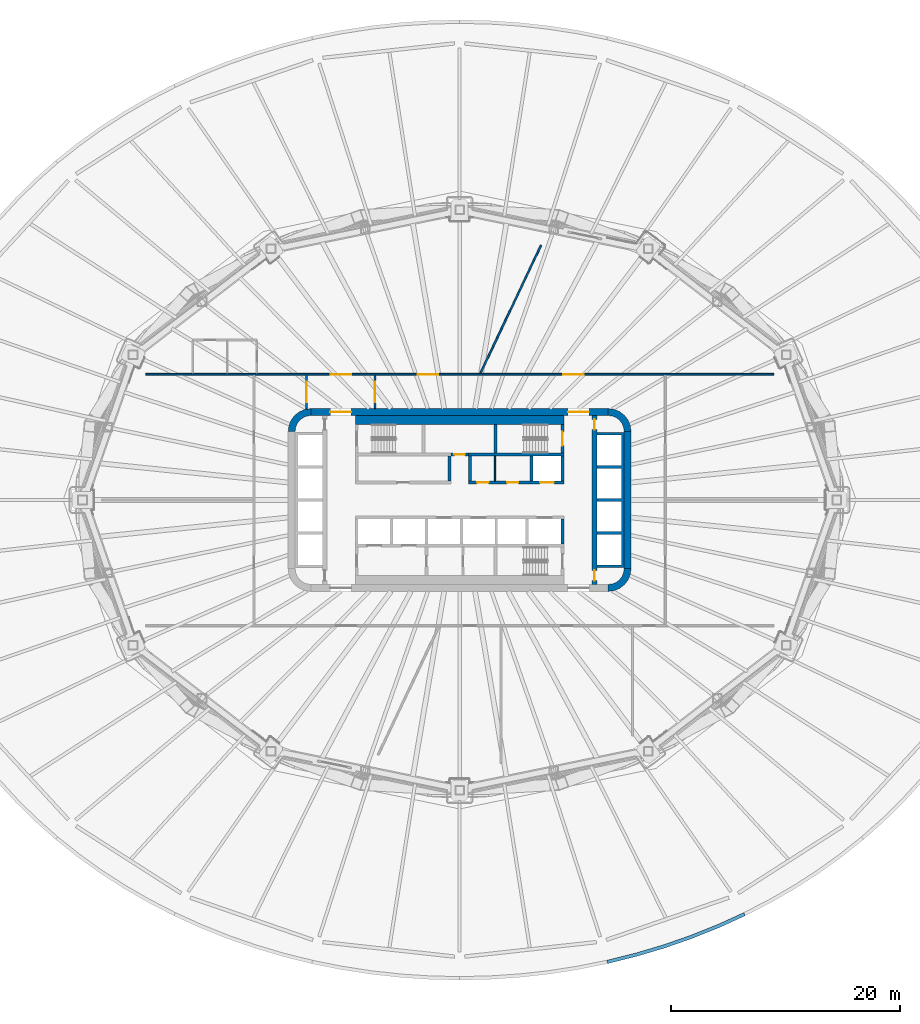
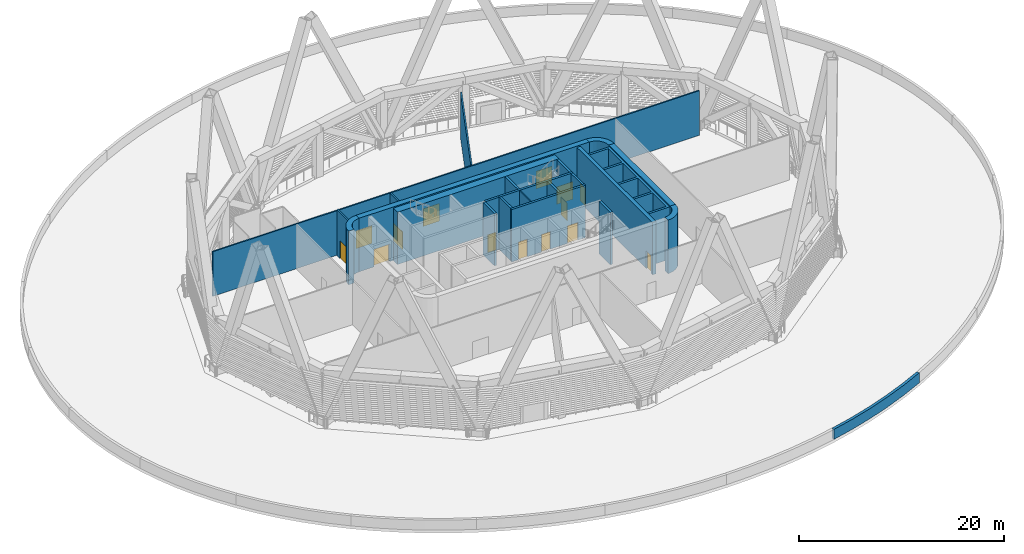
# One storey, part 10 of 27: 24 walls, 14 doors, 14 openings.
"""IFC4 building model written with IfcOpenShell, lengths in metres."""

import ifcopenshell
import ifcopenshell.guid

model = None  # the IFC model being written
_history = None  # IfcOwnerHistory: only IFC2X3 demands one
_inside = {}  # id of a spatial element -> (the spatial element, [elements in it])
_under = {}  # id of a project, library or spatial element -> (it, [spatial elements below it])
_declared = {}  # id of a project -> (the project, [libraries it declares])
_typed = {}  # id of a type object -> (the type object, [elements of that type])
_made_of = {}  # id of a material, layer set ... -> (it, [elements and type objects made of it])


def new_model(schema):
    """Start an empty IFC model of exactly this schema.

    Asked for "IFC4X3", IfcOpenShell would pick the latest addendum, in which some entities
    have other attributes; the version numbers below select the first issue.
    IFC2X3 requires an IfcOwnerHistory on every rooted entity: one is made here for all.
    """
    global model, _history
    if schema == "IFC4X3":
        model = ifcopenshell.file(schema_version=(4, 3, 0, 0))
    else:
        model = ifcopenshell.file(schema=schema)
    _inside.clear()
    _under.clear()
    _declared.clear()
    _typed.clear()
    _made_of.clear()
    _history = None
    if model.schema == "IFC2X3":
        org = make("IfcOrganization", Name="unknown")
        user = make(
            "IfcPersonAndOrganization",
            ThePerson=make("IfcPerson", FamilyName="unknown"),
            TheOrganization=org,
        )
        app = make(
            "IfcApplication",
            ApplicationDeveloper=org,
            Version="unknown",
            ApplicationFullName="unknown",
            ApplicationIdentifier="unknown",
        )
        _history = make(
            "IfcOwnerHistory",
            OwningUser=user,
            OwningApplication=app,
            ChangeAction="ADDED",
            CreationDate=0,
        )
    return model


def make(cls, **values):
    """One entity of the class cls with the attributes given. An attribute that is None is left unset."""
    return model.create_entity(
        cls, **{name: value for name, value in values.items() if value is not None}
    )


def rooted(cls, **values):
    """An entity with a GlobalId (a new one), such as an element, a storey or a relation."""
    return make(cls, GlobalId=ifcopenshell.guid.new(), OwnerHistory=_history, **values)


def si_unit(unit_type, name, prefix=None):
    """IfcSIUnit, for example si_unit("LENGTHUNIT", "METRE", prefix="MILLI")."""
    return make("IfcSIUnit", UnitType=unit_type, Prefix=prefix, Name=name)


def assignment(units):
    """IfcUnitAssignment: the units of a project."""
    return None if units is None else make("IfcUnitAssignment", Units=units)


def point(xyz):
    """IfcCartesianPoint."""
    return None if xyz is None else make("IfcCartesianPoint", Coordinates=xyz)


def direction(xyz):
    """IfcDirection."""
    return None if xyz is None else make("IfcDirection", DirectionRatios=xyz)


def frame(location, z_axis=None, x_axis=None):
    """IfcAxis2Placement3D, a coordinate frame: its origin and axes. An axis left out is left unset."""
    return make(
        "IfcAxis2Placement3D",
        Location=point(location),
        Axis=direction(z_axis),
        RefDirection=direction(x_axis),
    )


def frame_2d(location, x_axis=None):
    """IfcAxis2Placement2D, a coordinate frame in the plane: its origin and x axis."""
    return make(
        "IfcAxis2Placement2D", Location=point(location), RefDirection=direction(x_axis)
    )


def origin():
    """The frame at (0, 0, 0) with its axes left unset."""
    return frame((0.0, 0.0, 0.0))


def place(relative_to, where):
    """IfcLocalPlacement: puts the frame where relative to a parent placement (None: the world)."""
    return make(
        "IfcLocalPlacement", PlacementRelTo=relative_to, RelativePlacement=where
    )


def context(
    kind, dimensions, precision=None, world=None, true_north=None, identifier=None
):
    """IfcGeometricRepresentationContext, for example the 3D "Model" context."""
    return make(
        "IfcGeometricRepresentationContext",
        ContextIdentifier=identifier,
        ContextType=kind,
        CoordinateSpaceDimension=dimensions,
        Precision=precision,
        WorldCoordinateSystem=world,
        TrueNorth=true_north,
    )


def subcontext(parent, identifier, kind, view, scale=None):
    """IfcGeometricRepresentationSubContext, for example "Body" below "Model"."""
    return make(
        "IfcGeometricRepresentationSubContext",
        ContextIdentifier=identifier,
        ContextType=kind,
        ParentContext=parent,
        TargetScale=scale,
        TargetView=view,
    )


def project(units=None, contexts=None):
    """IfcProject with its units and contexts."""
    return rooted(
        "IfcProject",
        Name="project",
        RepresentationContexts=contexts,
        UnitsInContext=assignment(units),
    )


def spatial(cls, under=None, at=None, **own):
    """A site, building, storey or space (cls), placed at a placement, below another one or the project."""
    s = rooted(cls, ObjectPlacement=at, **own)
    if under is not None:
        _under.setdefault(under.id(), (under, []))[1].append(s)
    return s


def polyline(points):
    """IfcPolyline through the points."""
    return make("IfcPolyline", Points=[point(p) for p in points])


def profile(cls, at=None, kind="AREA", **sizes):
    """A parametric profile (cls). Its sizes go by their IFC names, for example OverallWidth=200.0."""
    return make(cls, ProfileType=kind, Position=at, **sizes)


def rectangle(**sizes):
    """IfcRectangleProfileDef."""
    return profile("IfcRectangleProfileDef", **sizes)


def outline(outer, holes=None, kind="AREA"):
    """IfcArbitraryClosedProfileDef: a profile drawn as a closed curve; with holes, ...WithVoids."""
    if holes is None:
        return make("IfcArbitraryClosedProfileDef", ProfileType=kind, OuterCurve=outer)
    return make(
        "IfcArbitraryProfileDefWithVoids",
        ProfileType=kind,
        OuterCurve=outer,
        InnerCurves=holes,
    )


def extrude(swept, where, along, depth):
    """IfcExtrudedAreaSolid: the profile swept, set in the frame where, extruded along a direction by depth."""
    return make(
        "IfcExtrudedAreaSolid",
        SweptArea=swept,
        Position=where,
        ExtrudedDirection=direction(along),
        Depth=depth,
    )


def shape(context_of_items, identifier, shape_type, items):
    """IfcShapeRepresentation: the items that make up one representation, for example the "Body"."""
    return make(
        "IfcShapeRepresentation",
        ContextOfItems=context_of_items,
        RepresentationIdentifier=identifier,
        RepresentationType=shape_type,
        Items=items,
    )


def material(Name=None, Category=None):
    """IfcMaterial."""
    return make("IfcMaterial", Name=Name, Category=Category)


def layer(
    of_material, thickness, ventilated=None, Name=None, Category=None, Priority=None
):
    """IfcMaterialLayer: one layer of a wall or slab, of a material (None: an air gap)."""
    return make(
        "IfcMaterialLayer",
        Material=of_material,
        LayerThickness=thickness,
        IsVentilated=ventilated,
        Name=Name,
        Category=Category,
        Priority=Priority,
    )


def layer_set(layers, Name=None):
    """IfcMaterialLayerSet."""
    return make("IfcMaterialLayerSet", MaterialLayers=layers, LayerSetName=Name)


def made_of(thing, what):
    """Note that an element or type object is made of a material, layer set ...; save() writes the relation."""
    if what is not None:
        _made_of.setdefault(what.id(), (what, []))[1].append(thing)
    return thing


def type_object(cls, material=None, **own):
    """A type object (cls), such as IfcWallType, which elements share."""
    return made_of(rooted(cls, **own), material)


def element(
    cls,
    number,
    at=None,
    inside=None,
    cuts=None,
    type_object=None,
    material=None,
    context=None,
    identifier="Body",
    shape_type=None,
    held_by="IfcProductDefinitionShape",
    body=None,
    shapes=None,
    **own,
):
    """One element of the class cls, such as IfcWall. Its Tag is "e" and its number.

    at: its placement. inside: the storey or other place that contains it. cuts: it is an
    opening in that element (IfcRelVoidsElement). A single representation is given by context,
    identifier, shape_type and body (its items); several are given by shapes. held_by: the class
    of the entity that holds the representations. save() writes the other relations.
    """
    e = rooted(cls, Tag="e%d" % number, ObjectPlacement=at, **own)
    if body is not None:
        shapes = [shape(context, identifier, shape_type, body)]
    if shapes is not None:
        e.Representation = make(held_by, Representations=shapes)
    if inside is not None:
        _inside.setdefault(inside.id(), (inside, []))[1].append(e)
    if cuts is not None:
        rooted(
            "IfcRelVoidsElement", RelatingBuildingElement=cuts, RelatedOpeningElement=e
        )
    if type_object is not None:
        _typed.setdefault(type_object.id(), (type_object, []))[1].append(e)
    return made_of(e, material)


def fill(opening, filler):
    """IfcRelFillsElement: the door or window that sits in an opening."""
    return rooted(
        "IfcRelFillsElement",
        RelatingOpeningElement=opening,
        RelatedBuildingElement=filler,
    )


def aggregate(whole, parts):
    """IfcRelAggregates: a whole, such as a stair, and the parts it consists of."""
    return rooted("IfcRelAggregates", RelatingObject=whole, RelatedObjects=parts)


def save(model, path):
    """Write the relations noted so far, then the file.

    IfcRelAggregates (storeys below a building ...), IfcRelContainedInSpatialStructure (elements
    in a storey), IfcRelDefinesByType, IfcRelAssociatesMaterial and IfcRelDeclares: one each for
    every whole, place, type object, material and project.
    """
    for whole, parts in _under.values():
        aggregate(whole, parts)
    for where, things in _inside.values():
        rooted(
            "IfcRelContainedInSpatialStructure",
            RelatedElements=things,
            RelatingStructure=where,
        )
    for kind, things in _typed.values():
        rooted("IfcRelDefinesByType", RelatedObjects=things, RelatingType=kind)
    for what, things in _made_of.values():
        rooted("IfcRelAssociatesMaterial", RelatedObjects=things, RelatingMaterial=what)
    for by, libraries in _declared.values():
        rooted("IfcRelDeclares", RelatingContext=by, RelatedDefinitions=libraries)
    model.write(path)


model = new_model("IFC4")

# Units and contexts
model_context = context("Model", 3, precision=1e-05, world=origin(), true_north=direction((0.0, 1.0)))
body_context = subcontext(model_context, "Body", "Model", "MODEL_VIEW")
ifc_project = project(units=[si_unit("LENGTHUNIT", "METRE"), si_unit("AREAUNIT", "SQUARE_METRE"), si_unit("VOLUMEUNIT", "CUBIC_METRE"), si_unit("PLANEANGLEUNIT", "RADIAN"), si_unit("MASSUNIT", "GRAM", prefix="KILO")], contexts=[model_context])

# Site, building, storey
site_placement = place(None, origin())
site = spatial("IfcSite", under=ifc_project, at=site_placement, CompositionType="ELEMENT")
building_placement = place(site_placement, origin())
building = spatial("IfcBuilding", under=site, at=building_placement, Name="Sahrelin Media Tower", CompositionType="ELEMENT")
storey_placement = place(building_placement, frame((0.0, 0.0, 44.0)))
storey = spatial("IfcBuildingStorey", under=building, at=storey_placement, Name="L06", CompositionType="ELEMENT", Elevation=44.0)

# Wall, openings, doors
ifc_material_1 = material(Name="Concrete C60/75", Category="concrete")
ifc_layer_1 = layer(ifc_material_1, 0.60009765625)
ifc_layer_set_1 = layer_set([ifc_layer_1], Name="Core wall 600")
wall_type_1 = type_object("IfcWallType", Name="Core wall 600", PredefinedType="SHEAR", material=ifc_layer_set_1)
wall_1_placement = place(storey_placement, frame((-13.0, 7.699951171875, 0.0), z_axis=(0.0, 0.0, 1.0), x_axis=(1.0, 0.0, 0.0)))
wall_1 = element("IfcWall", 1, at=wall_1_placement, inside=storey, type_object=wall_type_1, Name="Core wall N L06", PredefinedType="SHEAR", context=body_context, shape_type="SweptSolid", body=[
    extrude(rectangle(XDim=26.0, YDim=0.60009765625, at=frame_2d((13.0, 0.0))), origin(), (0.0, 0.0, 1.0), 6.39990234375),
])
opening_1_placement = place(wall_1_placement, frame((1.699951171875, 0.0, 0.0)))
opening_1 = element("IfcOpeningElement", 2, at=opening_1_placement, cuts=wall_1, Name="Opening L06-D15", PredefinedType="OPENING", context=body_context, shape_type="SweptSolid", body=[
    extrude(rectangle(XDim=1.800048828125, YDim=2.10009765625, at=frame_2d((0.89990234375, 1.050048828125))), frame((0.0, 0.300048828125, 0.0), z_axis=(0.0, -1.0, 0.0), x_axis=(1.0, 0.0, 0.0)), (0.0, 0.0, 1.0), 0.60009765625),
])
opening_2_placement = place(wall_1_placement, frame((22.5, 0.0, 0.0)))
opening_2 = element("IfcOpeningElement", 3, at=opening_2_placement, cuts=wall_1, Name="Opening L06-D16", PredefinedType="OPENING", context=body_context, shape_type="SweptSolid", body=[
    extrude(rectangle(XDim=1.800048828125, YDim=2.10009765625, at=frame_2d((0.89990234375, 1.050048828125))), frame((0.0, 0.300048828125, 0.0), z_axis=(0.0, -1.0, 0.0), x_axis=(1.0, 0.0, 0.0)), (0.0, 0.0, 1.0), 0.60009765625),
])
ifc_material_2 = material(Name="Steel fire door leaf", Category="steel")
door_type_1 = type_object("IfcDoorType", Name="Lobby double door 1800 x 2100 EI 60", OperationType="DOUBLE_DOOR_SINGLE_SWING", PredefinedType="DOOR", material=ifc_material_2)
door_1_placement = place(opening_1_placement, origin())
door_1 = element("IfcDoor", 4, at=door_1_placement, inside=storey, type_object=door_type_1, Name="Lobby door", OperationType="DOUBLE_DOOR_SINGLE_SWING", OverallHeight=2.10009765625, OverallWidth=1.800048828125, PredefinedType="DOOR", context=body_context, shape_type="SweptSolid", body=[
    extrude(rectangle(XDim=1.800048828125, YDim=2.10009765625, at=frame_2d((0.89990234375, 1.050048828125))), frame((0.0, 0.02490234375, 0.0), z_axis=(0.0, -1.0, 0.0), x_axis=(1.0, 0.0, 0.0)), (0.0, 0.0, 1.0), 0.050048828125),
])
fill(opening_1, door_1)
door_2_placement = place(opening_2_placement, origin())
door_2 = element("IfcDoor", 5, at=door_2_placement, inside=storey, type_object=door_type_1, Name="Lobby door", OperationType="DOUBLE_DOOR_SINGLE_SWING", OverallHeight=2.10009765625, OverallWidth=1.800048828125, PredefinedType="DOOR", context=body_context, shape_type="SweptSolid", body=[
    extrude(rectangle(XDim=1.800048828125, YDim=2.10009765625, at=frame_2d((0.89990234375, 1.050048828125))), frame((0.0, 0.02490234375, 0.0), z_axis=(0.0, -1.0, 0.0), x_axis=(1.0, 0.0, 0.0)), (0.0, 0.0, 1.0), 0.050048828125),
])
fill(opening_2, door_2)

# Walls
wall_2_placement = place(storey_placement, frame((14.699951171875, -6.0, 0.0), z_axis=(0.0, 0.0, 1.0), x_axis=(0.0, 1.0, 0.0)))
element("IfcWall", 6, at=wall_2_placement, inside=storey, type_object=wall_type_1, Name="Core wall E L06", PredefinedType="SHEAR", context=body_context, shape_type="SweptSolid", body=[
    extrude(rectangle(XDim=12.0, YDim=0.60009765625, at=frame_2d((6.0, 0.0))), origin(), (0.0, 0.0, 1.0), 6.39990234375),
])
placement = place(storey_placement, origin())
element("IfcWall", 7, at=placement, inside=storey, type_object=wall_type_1, Name="Core wall corner NE L06", PredefinedType="SHEAR", context=body_context, shape_type="SweptSolid", body=[
    extrude(outline(polyline([(13.0, 8.0), (13.0, 7.394775390625), (13.361083984375, 7.347412109375), (13.697509765625, 7.2080078125), (13.986328125, 6.986328125), (14.2080078125, 6.697509765625), (14.347412109375, 6.361083984375), (14.394775390625, 6.0), (15.0, 6.0), (14.931884765625, 6.517578125), (14.732177734375, 7.0), (14.414306640625, 7.414306640625), (14.0, 7.732177734375), (13.517578125, 7.931884765625), (13.0, 8.0)])), origin(), (0.0, 0.0, 1.0), 6.39990234375),
])
element("IfcWall", 8, at=placement, inside=storey, type_object=wall_type_1, Name="Core wall corner NW L06", PredefinedType="SHEAR", context=body_context, shape_type="SweptSolid", body=[
    extrude(outline(polyline([(-15.0, 6.0), (-14.394775390625, 6.0), (-14.347412109375, 6.361083984375), (-14.2080078125, 6.697509765625), (-13.986328125, 6.986328125), (-13.697509765625, 7.2080078125), (-13.361083984375, 7.347412109375), (-13.0, 7.394775390625), (-13.0, 8.0), (-13.517578125, 7.931884765625), (-14.0, 7.732177734375), (-14.414306640625, 7.414306640625), (-14.732177734375, 7.0), (-14.931884765625, 6.517578125), (-15.0, 6.0)])), origin(), (0.0, 0.0, 1.0), 6.39990234375),
])
element("IfcWall", 9, at=placement, inside=storey, type_object=wall_type_1, Name="Core wall corner SE L06", PredefinedType="SHEAR", context=body_context, shape_type="SweptSolid", body=[
    extrude(outline(polyline([(15.0, -6.0), (14.394775390625, -6.0), (14.347412109375, -6.361083984375), (14.2080078125, -6.697509765625), (13.986328125, -6.986328125), (13.697509765625, -7.2080078125), (13.361083984375, -7.347412109375), (13.0, -7.394775390625), (13.0, -8.0), (13.517578125, -7.931884765625), (14.0, -7.732177734375), (14.414306640625, -7.414306640625), (14.732177734375, -7.0), (14.931884765625, -6.517578125), (15.0, -6.0)])), origin(), (0.0, 0.0, 1.0), 6.39990234375),
])

# Wall, opening, door
ifc_material_3 = material(Name="Fire-rated gypsum board partition")
ifc_layer_2 = layer(ifc_material_3, 0.14990234375)
ifc_layer_set_2 = layer_set([ifc_layer_2], Name="Fire-rated lobby wall 150")
wall_type_2 = type_object("IfcWallType", Name="Fire-rated lobby wall 150", PredefinedType="PARTITIONING", material=ifc_layer_set_2)
wall_6_placement = place(storey_placement, frame((-13.39990234375, 7.947509765625, 0.0), z_axis=(0.0, 0.0, 1.0), x_axis=(0.0, 1.0, 0.0)))
wall_6 = element("IfcWall", 10, at=wall_6_placement, inside=storey, type_object=wall_type_2, Name="Wall", PredefinedType="PARTITIONING", context=body_context, shape_type="SweptSolid", body=[
    extrude(rectangle(XDim=2.9775390625, YDim=0.14990234375, at=frame_2d((1.48876953125, 0.0))), origin(), (0.0, 0.0, 1.0), 5.47607421875),
])
opening_3_placement = place(wall_6_placement, frame((0.589111328125, 0.0, 0.0)))
opening_3 = element("IfcOpeningElement", 11, at=opening_3_placement, cuts=wall_6, Name="Opening L06-D26", PredefinedType="OPENING", context=body_context, shape_type="SweptSolid", body=[
    extrude(rectangle(XDim=1.800048828125, YDim=2.10009765625, at=frame_2d((0.89990234375, 1.050048828125))), frame((0.0, 0.074951171875, 0.0), z_axis=(0.0, -1.0, 0.0), x_axis=(1.0, 0.0, 0.0)), (0.0, 0.0, 1.0), 0.14990234375),
])
door_3_placement = place(opening_3_placement, origin())
door_3 = element("IfcDoor", 12, at=door_3_placement, inside=storey, type_object=door_type_1, Name="Lobby double door", OperationType="DOUBLE_DOOR_SINGLE_SWING", OverallHeight=2.10009765625, OverallWidth=1.800048828125, PredefinedType="DOOR", context=body_context, shape_type="SweptSolid", body=[
    extrude(rectangle(XDim=1.800048828125, YDim=2.10009765625, at=frame_2d((0.89990234375, 1.050048828125))), frame((0.0, 0.02490234375, 0.0), z_axis=(0.0, -1.0, 0.0), x_axis=(1.0, 0.0, 0.0)), (0.0, 0.0, 1.0), 0.050048828125),
])
fill(opening_3, door_3)

wall_7_placement = place(storey_placement, frame((-7.39990234375, 8.0, 0.0), z_axis=(0.0, 0.0, 1.0), x_axis=(0.0, 1.0, 0.0)))
wall_7 = element("IfcWall", 13, at=wall_7_placement, inside=storey, type_object=wall_type_2, Name="Wall", PredefinedType="PARTITIONING", context=body_context, shape_type="SweptSolid", body=[
    extrude(rectangle(XDim=2.925048828125, YDim=0.14990234375, at=frame_2d((1.46240234375, 0.0))), origin(), (0.0, 0.0, 1.0), 5.326904296875),
])
opening_4_placement = place(wall_7_placement, frame((0.56201171875, 0.0, 0.0)))
opening_4 = element("IfcOpeningElement", 14, at=opening_4_placement, cuts=wall_7, Name="Opening L06-D27", PredefinedType="OPENING", context=body_context, shape_type="SweptSolid", body=[
    extrude(rectangle(XDim=1.800048828125, YDim=2.10009765625, at=frame_2d((0.89990234375, 1.050048828125))), frame((0.0, 0.074951171875, 0.0), z_axis=(0.0, -1.0, 0.0), x_axis=(1.0, 0.0, 0.0)), (0.0, 0.0, 1.0), 0.14990234375),
])
door_4_placement = place(opening_4_placement, origin())
door_4 = element("IfcDoor", 15, at=door_4_placement, inside=storey, type_object=door_type_1, Name="Lobby double door", OperationType="DOUBLE_DOOR_SINGLE_SWING", OverallHeight=2.10009765625, OverallWidth=1.800048828125, PredefinedType="DOOR", context=body_context, shape_type="SweptSolid", body=[
    extrude(rectangle(XDim=1.800048828125, YDim=2.10009765625, at=frame_2d((0.89990234375, 1.050048828125))), frame((0.0, 0.02490234375, 0.0), z_axis=(0.0, -1.0, 0.0), x_axis=(1.0, 0.0, 0.0)), (0.0, 0.0, 1.0), 0.050048828125),
])
fill(opening_4, door_4)

ifc_layer_3 = layer(ifc_material_3, 0.25)
ifc_layer_set_3 = layer_set([ifc_layer_3], Name="Fire-rated lobby wall 250")
wall_type_3 = type_object("IfcWallType", Name="Fire-rated lobby wall 250", PredefinedType="PARTITIONING", material=ifc_layer_set_3)
wall_8_placement = place(storey_placement, frame((-0.77490234375, 3.97509765625, 0.0), z_axis=(0.0, 0.0, 1.0), x_axis=(1.0, 0.0, 0.0)))
wall_8 = element("IfcWall", 16, at=wall_8_placement, inside=storey, type_object=wall_type_3, Name="Core lobby wall", PredefinedType="PARTITIONING", context=body_context, shape_type="SweptSolid", body=[
    extrude(rectangle(XDim=1.5498046875, YDim=0.25, at=frame_2d((0.77490234375, 0.0))), origin(), (0.0, 0.0, 1.0), 6.25),
])
opening_5_placement = place(wall_8_placement, frame((0.324951171875, 0.0, 0.0)))
opening_5 = element("IfcOpeningElement", 17, at=opening_5_placement, cuts=wall_8, Name="Opening L06-D06", PredefinedType="OPENING", context=body_context, shape_type="SweptSolid", body=[
    extrude(rectangle(XDim=0.89990234375, YDim=2.10009765625, at=frame_2d((0.449951171875, 1.050048828125))), frame((0.0, 0.125, 0.0), z_axis=(0.0, -1.0, 0.0), x_axis=(1.0, 0.0, 0.0)), (0.0, 0.0, 1.0), 0.25),
])
door_type_2 = type_object("IfcDoorType", Name="Riser door 900 x 2100 EI 120", OperationType="NOTDEFINED", PredefinedType="DOOR", material=ifc_material_2)
door_5_placement = place(opening_5_placement, origin())
door_5 = element("IfcDoor", 18, at=door_5_placement, inside=storey, type_object=door_type_2, Name="Core room door", OperationType="SINGLE_SWING_LEFT", OverallHeight=2.10009765625, OverallWidth=0.89990234375, PredefinedType="DOOR", context=body_context, shape_type="SweptSolid", body=[
    extrude(rectangle(XDim=0.89990234375, YDim=2.10009765625, at=frame_2d((0.449951171875, 1.050048828125))), frame((0.0, 0.02490234375, 0.0), z_axis=(0.0, -1.0, 0.0), x_axis=(1.0, 0.0, 0.0)), (0.0, 0.0, 1.0), 0.050048828125),
])
fill(opening_5, door_5)

# Walls
for number, where, z_axis, x_axis, name in (
    (19, (-0.89990234375, 1.64990234375, 0.0), (0.0, 0.0, 1.0), (0.0, 1.0, 0.0), "Core lobby wall"),
    (20, (9.0, 1.64990234375, 0.0), (0.0, 0.0, 1.0), (0.0, 1.0, 0.0), "Core lobby wall"),
    (21, (0.89990234375, 1.64990234375, 0.0), (0.0, 0.0, 1.0), (0.0, 1.0, 0.0), "Core lobby wall"),
):
    element("IfcWall", number, at=place(storey_placement, frame(where, z_axis=z_axis, x_axis=x_axis)), inside=storey, type_object=wall_type_3, Name=name, PredefinedType="PARTITIONING", context=body_context, shape_type="SweptSolid", body=[
        extrude(rectangle(XDim=2.2001953125, YDim=0.25, at=frame_2d((1.10009765625, 0.0))), origin(), (0.0, 0.0, 1.0), 6.25),
    ])
ifc_layer_4 = layer(ifc_material_3, 0.10009765625)
ifc_layer_set_4 = layer_set([ifc_layer_4], Name="Fire-rated partition 100")
wall_type_4 = type_object("IfcWallType", Name="Fire-rated partition 100", PredefinedType="PARTITIONING", material=ifc_layer_set_4)
wall_9_placement = place(storey_placement, frame((3.10009765625, 1.64990234375, 0.0), z_axis=(0.0, 0.0, 1.0), x_axis=(0.0, 1.0, 0.0)))
element("IfcWall", 22, at=wall_9_placement, inside=storey, type_object=wall_type_4, Name="Core room partition", PredefinedType="PARTITIONING", context=body_context, shape_type="SweptSolid", body=[
    extrude(rectangle(XDim=2.2001953125, YDim=0.10009765625, at=frame_2d((1.10009765625, 0.0))), origin(), (0.0, 0.0, 1.0), 6.25),
])

# Wall, openings, doors
ifc_layer_5 = layer(ifc_material_3, 0.14990234375)
ifc_layer_set_5 = layer_set([ifc_layer_5], Name="Fire-rated partition 150")
wall_type_5 = type_object("IfcWallType", Name="Fire-rated partition 150", PredefinedType="PARTITIONING", material=ifc_layer_set_5)
wall_10_placement = place(storey_placement, frame((-27.476318359375, 11.0, 0.0), z_axis=(0.0, 0.0, 1.0), x_axis=(1.0, 0.0, 0.0)))
wall_10 = element("IfcWall", 23, at=wall_10_placement, inside=storey, type_object=wall_type_5, Name="Wall", PredefinedType="PARTITIONING", context=body_context, shape_type="SweptSolid", body=[
    extrude(rectangle(XDim=54.95263671875, YDim=0.14990234375, at=frame_2d((27.476318359375, 0.0))), origin(), (0.0, 0.0, 1.0), 5.326904296875),
])
opening_6_placement = place(wall_10_placement, frame((16.199951171875, 0.0, 0.0)))
opening_6 = element("IfcOpeningElement", 24, at=opening_6_placement, cuts=wall_10, Name="Opening L06-D28", PredefinedType="OPENING", context=body_context, shape_type="SweptSolid", body=[
    extrude(rectangle(XDim=1.800048828125, YDim=2.10009765625, at=frame_2d((0.89990234375, 1.050048828125))), frame((0.0, 0.074951171875, 0.0), z_axis=(0.0, -1.0, 0.0), x_axis=(1.0, 0.0, 0.0)), (0.0, 0.0, 1.0), 0.14990234375),
])
opening_7_placement = place(wall_10_placement, frame((23.800048828125, 0.0, 0.0)))
opening_7 = element("IfcOpeningElement", 25, at=opening_7_placement, cuts=wall_10, Name="Opening L06-D29", PredefinedType="OPENING", context=body_context, shape_type="SweptSolid", body=[
    extrude(rectangle(XDim=1.800048828125, YDim=2.10009765625, at=frame_2d((0.89990234375, 1.050048828125))), frame((0.0, 0.074951171875, 0.0), z_axis=(0.0, -1.0, 0.0), x_axis=(1.0, 0.0, 0.0)), (0.0, 0.0, 1.0), 0.14990234375),
])
opening_8_placement = place(wall_10_placement, frame((36.550048828125, 0.0, 0.0)))
opening_8 = element("IfcOpeningElement", 26, at=opening_8_placement, cuts=wall_10, Name="Opening L06-D32", PredefinedType="OPENING", context=body_context, shape_type="SweptSolid", body=[
    extrude(rectangle(XDim=1.800048828125, YDim=2.10009765625, at=frame_2d((0.89990234375, 1.050048828125))), frame((0.0, 0.074951171875, 0.0), z_axis=(0.0, -1.0, 0.0), x_axis=(1.0, 0.0, 0.0)), (0.0, 0.0, 1.0), 0.14990234375),
])
door_6_placement = place(opening_6_placement, origin())
door_6 = element("IfcDoor", 27, at=door_6_placement, inside=storey, type_object=door_type_1, Name="Lobby double door", OperationType="DOUBLE_DOOR_SINGLE_SWING", OverallHeight=2.10009765625, OverallWidth=1.800048828125, PredefinedType="DOOR", context=body_context, shape_type="SweptSolid", body=[
    extrude(rectangle(XDim=1.800048828125, YDim=2.10009765625, at=frame_2d((0.89990234375, 1.050048828125))), frame((0.0, 0.02490234375, 0.0), z_axis=(0.0, -1.0, 0.0), x_axis=(1.0, 0.0, 0.0)), (0.0, 0.0, 1.0), 0.050048828125),
])
fill(opening_6, door_6)
door_type_3 = type_object("IfcDoorType", Name="Service double door 1800 x 2100 EI 60", OperationType="DOUBLE_DOOR_SINGLE_SWING", PredefinedType="DOOR", material=ifc_material_2)
door_7_placement = place(opening_7_placement, origin())
door_7 = element("IfcDoor", 28, at=door_7_placement, inside=storey, type_object=door_type_3, Name="Service double door", OperationType="DOUBLE_DOOR_SINGLE_SWING", OverallHeight=2.10009765625, OverallWidth=1.800048828125, PredefinedType="DOOR", context=body_context, shape_type="SweptSolid", body=[
    extrude(rectangle(XDim=1.800048828125, YDim=2.10009765625, at=frame_2d((0.89990234375, 1.050048828125))), frame((0.0, 0.02490234375, 0.0), z_axis=(0.0, -1.0, 0.0), x_axis=(1.0, 0.0, 0.0)), (0.0, 0.0, 1.0), 0.050048828125),
])
fill(opening_7, door_7)
door_8_placement = place(opening_8_placement, origin())
door_8 = element("IfcDoor", 29, at=door_8_placement, inside=storey, type_object=door_type_3, Name="Service double door", OperationType="DOUBLE_DOOR_SINGLE_SWING", OverallHeight=2.10009765625, OverallWidth=1.800048828125, PredefinedType="DOOR", context=body_context, shape_type="SweptSolid", body=[
    extrude(rectangle(XDim=1.800048828125, YDim=2.10009765625, at=frame_2d((0.89990234375, 1.050048828125))), frame((0.0, 0.02490234375, 0.0), z_axis=(0.0, -1.0, 0.0), x_axis=(1.0, 0.0, 0.0)), (0.0, 0.0, 1.0), 0.050048828125),
])
fill(opening_8, door_8)

# Wall
wall_11_placement = place(storey_placement, frame((1.829345703125, 11.107177734375, 0.0), z_axis=(0.0, 0.0, 1.0), x_axis=(0.427950706934, 0.903802075918, 0.0)))
element("IfcWall", 30, at=wall_11_placement, inside=storey, type_object=wall_type_5, Name="Wall", PredefinedType="PARTITIONING", context=body_context, shape_type="SweptSolid", body=[
    extrude(rectangle(XDim=12.380126953125, YDim=0.14990234375, at=frame_2d((6.18994140625, 0.0))), origin(), (0.0, 0.0, 1.0), 5.39501953125),
])

# Wall, openings, doors
ifc_layer_6 = layer(ifc_material_1, 0.25)
ifc_layer_set_6 = layer_set([ifc_layer_6], Name="Lift shaft wall 250")
wall_type_6 = type_object("IfcWallType", Name="Lift shaft wall 250", PredefinedType="SOLIDWALL", material=ifc_layer_set_6)
wall_12_placement = place(storey_placement, frame((0.77490234375, 1.52490234375, 0.0), z_axis=(0.0, 0.0, 1.0), x_axis=(1.0, 0.0, 0.0)))
wall_12 = element("IfcWall", 31, at=wall_12_placement, inside=storey, type_object=wall_type_6, Name="Lift shaft wall", PredefinedType="SOLIDWALL", context=body_context, shape_type="SweptSolid", body=[
    extrude(rectangle(XDim=8.35009765625, YDim=0.25, at=frame_2d((4.175048828125, 0.0))), origin(), (0.0, 0.0, 1.0), 6.25),
])
opening_9_placement = place(wall_12_placement, frame((6.27490234375, 0.0, 0.0)))
opening_9 = element("IfcOpeningElement", 32, at=opening_9_placement, cuts=wall_12, Name="Opening L06-LD-PR2", PredefinedType="OPENING", context=body_context, shape_type="SweptSolid", body=[
    extrude(rectangle(XDim=1.199951171875, YDim=2.10009765625, at=frame_2d((0.60009765625, 1.050048828125))), frame((0.0, 0.125, 0.0), z_axis=(0.0, -1.0, 0.0), x_axis=(1.0, 0.0, 0.0)), (0.0, 0.0, 1.0), 0.25),
])
opening_10_placement = place(wall_12_placement, frame((0.762451171875, 0.0, 0.0)))
opening_10 = element("IfcOpeningElement", 33, at=opening_10_placement, cuts=wall_12, Name="Opening L06-D09", PredefinedType="OPENING", context=body_context, shape_type="SweptSolid", body=[
    extrude(rectangle(XDim=1.0, YDim=2.10009765625, at=frame_2d((0.5, 1.050048828125))), frame((0.0, 0.125, 0.0), z_axis=(0.0, -1.0, 0.0), x_axis=(1.0, 0.0, 0.0)), (0.0, 0.0, 1.0), 0.25),
])
opening_11_placement = place(wall_12_placement, frame((3.375, 0.0, 0.0)))
opening_11 = element("IfcOpeningElement", 34, at=opening_11_placement, cuts=wall_12, Name="Opening L06-D10", PredefinedType="OPENING", context=body_context, shape_type="SweptSolid", body=[
    extrude(rectangle(XDim=1.0, YDim=2.10009765625, at=frame_2d((0.5, 1.050048828125))), frame((0.0, 0.125, 0.0), z_axis=(0.0, -1.0, 0.0), x_axis=(1.0, 0.0, 0.0)), (0.0, 0.0, 1.0), 0.25),
])
door_type_4 = type_object("IfcDoorType", Name="Fire door 1000 x 2100 EI 60", OperationType="NOTDEFINED", PredefinedType="DOOR", material=ifc_material_2)
door_9_placement = place(opening_10_placement, origin())
door_9 = element("IfcDoor", 35, at=door_9_placement, inside=storey, type_object=door_type_4, Name="Core room door", OperationType="SINGLE_SWING_LEFT", OverallHeight=2.10009765625, OverallWidth=1.0, PredefinedType="DOOR", context=body_context, shape_type="SweptSolid", body=[
    extrude(rectangle(XDim=1.0, YDim=2.10009765625, at=frame_2d((0.5, 1.050048828125))), frame((0.0, 0.02490234375, 0.0), z_axis=(0.0, -1.0, 0.0), x_axis=(1.0, 0.0, 0.0)), (0.0, 0.0, 1.0), 0.050048828125),
])
fill(opening_10, door_9)
door_10_placement = place(opening_11_placement, origin())
door_10 = element("IfcDoor", 36, at=door_10_placement, inside=storey, type_object=door_type_4, Name="Core room door", OperationType="SINGLE_SWING_LEFT", OverallHeight=2.10009765625, OverallWidth=1.0, PredefinedType="DOOR", context=body_context, shape_type="SweptSolid", body=[
    extrude(rectangle(XDim=1.0, YDim=2.10009765625, at=frame_2d((0.5, 1.050048828125))), frame((0.0, 0.02490234375, 0.0), z_axis=(0.0, -1.0, 0.0), x_axis=(1.0, 0.0, 0.0)), (0.0, 0.0, 1.0), 0.050048828125),
])
fill(opening_11, door_10)
ifc_material_4 = material(Name="Stainless steel", Category="steel")
door_type_5 = type_object("IfcDoorType", Name="Lift landing door 1200 x 2100 EI 120", OperationType="DOUBLE_DOOR_SLIDING", PredefinedType="DOOR", material=ifc_material_4)
door_11_placement = place(opening_9_placement, origin())
door_11 = element("IfcDoor", 37, at=door_11_placement, inside=storey, type_object=door_type_5, Name="Lift landing door PR2", OperationType="DOUBLE_DOOR_SLIDING", OverallHeight=2.10009765625, OverallWidth=1.199951171875, PredefinedType="DOOR", context=body_context, shape_type="SweptSolid", body=[
    extrude(rectangle(XDim=1.199951171875, YDim=2.10009765625, at=frame_2d((0.60009765625, 1.050048828125))), frame((0.0, 0.02490234375, 0.0), z_axis=(0.0, -1.0, 0.0), x_axis=(1.0, 0.0, 0.0)), (0.0, 0.0, 1.0), 0.050048828125),
])
fill(opening_9, door_11)

# Walls
for number, where, z_axis, x_axis, name in (
    (38, (6.300048828125, 1.64990234375, 0.0), (0.0, 0.0, 1.0), (0.0, 1.0, 0.0), "Lift shaft wall"),
    (39, (9.0, -3.85009765625, 0.0), (0.0, 0.0, 1.0), (0.0, 1.0, 0.0), "Lift shaft wall"),
):
    element("IfcWall", number, at=place(storey_placement, frame(where, z_axis=z_axis, x_axis=x_axis)), inside=storey, type_object=wall_type_6, Name=name, PredefinedType="SOLIDWALL", context=body_context, shape_type="SweptSolid", body=[
        extrude(rectangle(XDim=2.2001953125, YDim=0.25, at=frame_2d((1.10009765625, 0.0))), origin(), (0.0, 0.0, 1.0), 6.25),
    ])
element("IfcWall", 40, at=placement, inside=storey, type_object=wall_type_6, Name="Lift shaft wall", PredefinedType="SOLIDWALL", context=body_context, shape_type="SweptSolid", body=[
    extrude(outline(polyline([(12.0, -5.675048828125), (12.0, -5.925048828125), (14.14990234375, -5.925048828125), (14.39990234375, -5.925048828125), (14.39990234375, -5.675048828125), (14.39990234375, -3.02490234375), (14.39990234375, -2.77490234375), (14.39990234375, -0.125), (14.39990234375, 0.125), (14.39990234375, 2.77490234375), (14.39990234375, 3.02490234375), (14.39990234375, 5.675048828125), (14.39990234375, 5.925048828125), (14.14990234375, 5.925048828125), (12.0, 5.925048828125), (12.0, 5.675048828125), (14.14990234375, 5.675048828125), (14.14990234375, 3.02490234375), (12.0, 3.02490234375), (12.0, 2.77490234375), (14.14990234375, 2.77490234375), (14.14990234375, 0.125), (12.0, 0.125), (12.0, -0.125), (14.14990234375, -0.125), (14.14990234375, -2.77490234375), (12.0, -2.77490234375), (12.0, -3.02490234375), (14.14990234375, -3.02490234375), (14.14990234375, -5.675048828125), (12.0, -5.675048828125)])), origin(), (0.0, 0.0, 1.0), 6.25),
])

# Wall, openings, doors
ifc_layer_7 = layer(ifc_material_1, 0.39990234375)
ifc_layer_set_7 = layer_set([ifc_layer_7], Name="Lift shaft wall 400")
wall_type_7 = type_object("IfcWallType", Name="Lift shaft wall 400", PredefinedType="SOLIDWALL", material=ifc_layer_set_7)
wall_14_placement = place(storey_placement, frame((11.800048828125, -7.39990234375, 0.0), z_axis=(0.0, 0.0, 1.0), x_axis=(0.0, 1.0, 0.0)))
wall_14 = element("IfcWall", 41, at=wall_14_placement, inside=storey, type_object=wall_type_7, Name="Lift shaft wall", PredefinedType="SOLIDWALL", context=body_context, shape_type="SweptSolid", body=[
    extrude(rectangle(XDim=14.7998046875, YDim=0.39990234375, at=frame_2d((7.39990234375, 0.0))), origin(), (0.0, 0.0, 1.0), 6.25),
])
opening_12_placement = place(wall_14_placement, frame((13.552490234375, 0.0, 0.0)))
opening_12 = element("IfcOpeningElement", 42, at=opening_12_placement, cuts=wall_14, Name="Opening L06-D13", PredefinedType="OPENING", context=body_context, shape_type="SweptSolid", body=[
    extrude(rectangle(XDim=0.89990234375, YDim=2.10009765625, at=frame_2d((0.449951171875, 1.050048828125))), frame((0.0, 0.199951171875, 0.0), z_axis=(0.0, -1.0, 0.0), x_axis=(1.0, 0.0, 0.0)), (0.0, 0.0, 1.0), 0.39990234375),
])
opening_13_placement = place(wall_14_placement, frame((0.347412109375, 0.0, 0.0)))
opening_13 = element("IfcOpeningElement", 43, at=opening_13_placement, cuts=wall_14, Name="Opening L06-D14", PredefinedType="OPENING", context=body_context, shape_type="SweptSolid", body=[
    extrude(rectangle(XDim=0.89990234375, YDim=2.10009765625, at=frame_2d((0.449951171875, 1.050048828125))), frame((0.0, 0.199951171875, 0.0), z_axis=(0.0, -1.0, 0.0), x_axis=(1.0, 0.0, 0.0)), (0.0, 0.0, 1.0), 0.39990234375),
])
door_12_placement = place(opening_12_placement, origin())
door_12 = element("IfcDoor", 44, at=door_12_placement, inside=storey, type_object=door_type_2, Name="Riser door", OperationType="SINGLE_SWING_RIGHT", OverallHeight=2.10009765625, OverallWidth=0.89990234375, PredefinedType="DOOR", context=body_context, shape_type="SweptSolid", body=[
    extrude(rectangle(XDim=0.89990234375, YDim=2.10009765625, at=frame_2d((0.449951171875, 1.050048828125))), frame((0.0, 0.02490234375, 0.0), z_axis=(0.0, -1.0, 0.0), x_axis=(1.0, 0.0, 0.0)), (0.0, 0.0, 1.0), 0.050048828125),
])
fill(opening_12, door_12)
door_13_placement = place(opening_13_placement, origin())
door_13 = element("IfcDoor", 45, at=door_13_placement, inside=storey, type_object=door_type_2, Name="Riser door", OperationType="SINGLE_SWING_RIGHT", OverallHeight=2.10009765625, OverallWidth=0.89990234375, PredefinedType="DOOR", context=body_context, shape_type="SweptSolid", body=[
    extrude(rectangle(XDim=0.89990234375, YDim=2.10009765625, at=frame_2d((0.449951171875, 1.050048828125))), frame((0.0, 0.02490234375, 0.0), z_axis=(0.0, -1.0, 0.0), x_axis=(1.0, 0.0, 0.0)), (0.0, 0.0, 1.0), 0.050048828125),
])
fill(opening_13, door_13)

# Wall
ifc_material_5 = material(Name="Concrete C40/50", Category="concrete")
ifc_layer_8 = layer(ifc_material_5, 0.300048828125)
ifc_layer_set_8 = layer_set([ifc_layer_8], Name="Podium parapet")
wall_type_8 = type_object("IfcWallType", Name="Podium parapet", PredefinedType="PARAPET", material=ifc_layer_set_8)
element("IfcWall", 46, at=placement, inside=storey, type_object=wall_type_8, Name="Podium roof parapet 20", PredefinedType="PARAPET", context=body_context, shape_type="SweptSolid", body=[
    extrude(outline(polyline([(12.94091796875, -40.56884765625), (15.45068359375, -39.9443359375), (17.91845703125, -39.21044921875), (20.3369140625, -38.368896484375), (22.699462890625, -37.42236328125), (25.0, -36.373046875), (24.869140625, -36.103271484375), (22.58154296875, -37.146484375), (20.231689453125, -38.087890625), (17.826416015625, -38.9248046875), (15.371826171875, -39.655029296875), (12.875, -40.276123046875), (12.94091796875, -40.56884765625)])), origin(), (0.0, 0.0, 1.0), 1.199951171875),
])

# Wall, opening, door
ifc_layer_9 = layer(ifc_material_1, 0.25)
ifc_layer_set_9 = layer_set([ifc_layer_9], Name="Stair enclosure wall 250")
wall_type_9 = type_object("IfcWallType", Name="Stair enclosure wall 250", PredefinedType="SOLIDWALL", material=ifc_layer_set_9)
wall_16_placement = place(storey_placement, frame((9.0, 4.10009765625, 0.0), z_axis=(0.0, 0.0, 1.0), x_axis=(0.0, 1.0, 0.0)))
wall_16 = element("IfcWall", 47, at=wall_16_placement, inside=storey, type_object=wall_type_9, Name="Stair enclosure wall", PredefinedType="SOLIDWALL", context=body_context, shape_type="SweptSolid", body=[
    extrude(rectangle(XDim=2.5, YDim=0.25, at=frame_2d((1.25, 0.0))), origin(), (0.0, 0.0, 1.0), 6.25),
])
opening_14_placement = place(wall_16_placement, frame((0.64990234375, 0.0, 0.0)))
opening_14 = element("IfcOpeningElement", 48, at=opening_14_placement, cuts=wall_16, Name="Opening L06-D02", PredefinedType="OPENING", context=body_context, shape_type="SweptSolid", body=[
    extrude(rectangle(XDim=1.199951171875, YDim=2.10009765625, at=frame_2d((0.60009765625, 1.050048828125))), frame((0.0, 0.125, 0.0), z_axis=(0.0, -1.0, 0.0), x_axis=(1.0, 0.0, 0.0)), (0.0, 0.0, 1.0), 0.25),
])
door_type_6 = type_object("IfcDoorType", Name="Stair door 1200 x 2100 EI 120", OperationType="NOTDEFINED", PredefinedType="DOOR", material=ifc_material_2)
door_14_placement = place(opening_14_placement, origin())
door_14 = element("IfcDoor", 49, at=door_14_placement, inside=storey, type_object=door_type_6, Name="Stair door ST3", OperationType="SINGLE_SWING_LEFT", OverallHeight=2.10009765625, OverallWidth=1.199951171875, PredefinedType="DOOR", context=body_context, shape_type="SweptSolid", body=[
    extrude(rectangle(XDim=1.199951171875, YDim=2.10009765625, at=frame_2d((0.60009765625, 1.050048828125))), frame((0.0, 0.02490234375, 0.0), z_axis=(0.0, -1.0, 0.0), x_axis=(1.0, 0.0, 0.0)), (0.0, 0.0, 1.0), 0.050048828125),
])
fill(opening_14, door_14)

# Walls
wall_17_placement = place(storey_placement, frame((3.14990234375, 4.10009765625, 0.0), z_axis=(0.0, 0.0, 1.0), x_axis=(0.0, 1.0, 0.0)))
element("IfcWall", 50, at=wall_17_placement, inside=storey, type_object=wall_type_9, Name="Stair enclosure wall", PredefinedType="SOLIDWALL", context=body_context, shape_type="SweptSolid", body=[
    extrude(rectangle(XDim=2.5, YDim=0.25, at=frame_2d((1.25, 0.0))), origin(), (0.0, 0.0, 1.0), 6.25),
])
wall_18_placement = place(storey_placement, frame((0.77490234375, 3.97509765625, 0.0), z_axis=(0.0, 0.0, 1.0), x_axis=(1.0, 0.0, 0.0)))
element("IfcWall", 51, at=wall_18_placement, inside=storey, type_object=wall_type_9, Name="Stair enclosure wall", PredefinedType="SOLIDWALL", context=body_context, shape_type="SweptSolid", body=[
    extrude(rectangle(XDim=8.35009765625, YDim=0.25, at=frame_2d((4.175048828125, 0.0))), origin(), (0.0, 0.0, 1.0), 6.25),
])
ifc_layer_10 = layer(ifc_material_1, 0.800048828125)
ifc_layer_set_10 = layer_set([ifc_layer_10], Name="Stair enclosure wall 800")
wall_type_10 = type_object("IfcWallType", Name="Stair enclosure wall 800", PredefinedType="SOLIDWALL", material=ifc_layer_set_10)
wall_19_placement = place(storey_placement, frame((-9.125, 7.0, 0.0), z_axis=(0.0, 0.0, 1.0), x_axis=(1.0, 0.0, 0.0)))
element("IfcWall", 52, at=wall_19_placement, inside=storey, type_object=wall_type_10, Name="Stair enclosure wall", PredefinedType="SOLIDWALL", context=body_context, shape_type="SweptSolid", body=[
    extrude(rectangle(XDim=18.25, YDim=0.800048828125, at=frame_2d((9.125, 0.0))), origin(), (0.0, 0.0, 1.0), 6.25),
])

save(model, "model.ifc")
